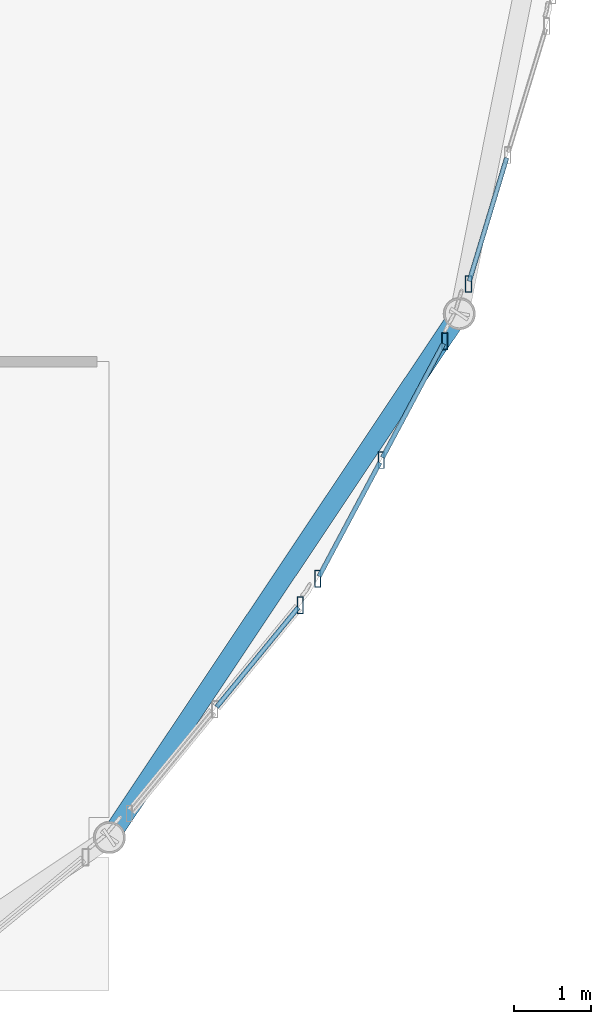
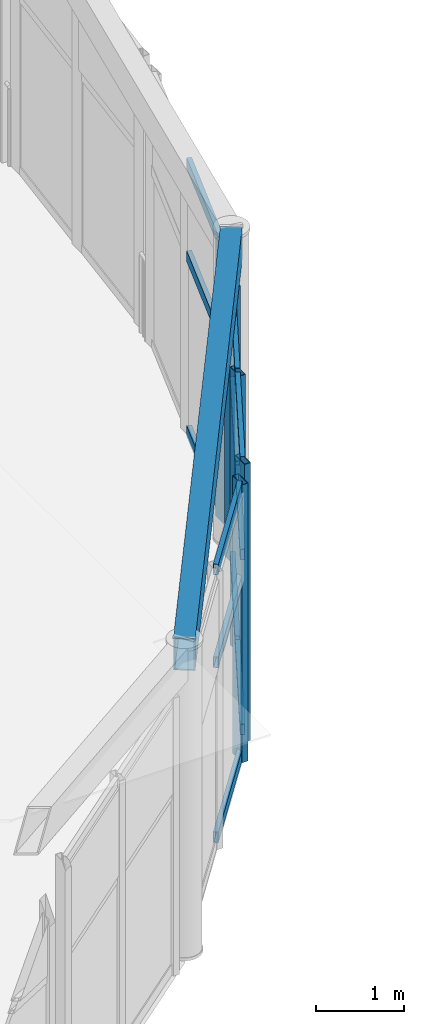
# One storey, part 20 of 105: 17 members, 1 beam, 3 elements without a shape of their own.
"""IFC4 building model written with IfcOpenShell, lengths in metres."""

from ifc_helpers import new_model, si_unit, direction, frame, origin, origin_2d, place, context, subcontext, project, spatial, hollow_rectangle, extrude, material, layer, layer_set, material_profile, profile_set, type_object, element, aggregate, save


model = new_model("IFC4")

# Units and contexts
model_context = context("Model", 3, precision=1e-05, world=origin(), true_north=direction((0.0, 1.0)))
body_context = subcontext(model_context, "Body", "Model", "MODEL_VIEW")
ifc_project = project(units=[si_unit("LENGTHUNIT", "METRE"), si_unit("AREAUNIT", "SQUARE_METRE"), si_unit("VOLUMEUNIT", "CUBIC_METRE"), si_unit("PLANEANGLEUNIT", "RADIAN"), si_unit("MASSUNIT", "GRAM", prefix="KILO")], contexts=[model_context])

# Site, building, storey
site_placement = place(None, origin())
site = spatial("IfcSite", under=ifc_project, at=site_placement, CompositionType="ELEMENT")
building_placement = place(site_placement, origin())
building = spatial("IfcBuilding", under=site, at=building_placement, Name="Marlcrest Central Station", CompositionType="ELEMENT")
storey_placement = place(building_placement, frame((0.0, 0.0, 15.0)))
storey = spatial("IfcBuildingStorey", under=building, at=storey_placement, Name="L03", CompositionType="ELEMENT", Elevation=15.0)

# Curtain wall, member
ifc_material_1 = material(Name="Anodised aluminium and hurricane laminated glass", Category="aluminium")
ifc_layer = layer(ifc_material_1, 0.219970703125, Name="CW-U1")
ifc_layer_set = layer_set([ifc_layer], Name="Anodised aluminium and hurricane laminated glass")
curtain_wall_type = type_object("IfcCurtainWallType", Name="CW-U1", PredefinedType="USERDEFINED", material=ifc_layer_set)
curtain_wall_1_placement = place(storey_placement, origin())
curtain_wall_1 = element("IfcCurtainWall", 1, at=curtain_wall_1_placement, inside=storey, type_object=curtain_wall_type, Name="cw-L03-0053", ObjectType="UNITISED_CURTAIN_WALL", PredefinedType="USERDEFINED")
ifc_material_2 = material(Name="Anodised aluminium 6063-T6", Category="aluminium")
ifc_material_profile_1 = material_profile(ifc_material_2, hollow_rectangle(XDim=0.080078125, YDim=0.219970703125, WallThickness=0.006103515625, at=origin_2d()), Name="AA-RHS 220x80x6")
ifc_profile_set_1 = profile_set([ifc_material_profile_1], Name="Anodised aluminium 6063-T6")
member_type_1 = type_object("IfcMemberType", Name="ML-01", PredefinedType="MULLION", material=ifc_profile_set_1)
member_1_placement = place(storey_placement, frame((125.330322265625, 10.673828125, -0.030029296875), z_axis=(0.0, 0.0, 1.0), x_axis=(1.0, 0.0, 0.0)))
member_1 = element("IfcMember", 2, at=member_1_placement, type_object=member_type_1, Name="cw-L03-0053-ml-0", PredefinedType="MULLION", context=body_context, shape_type="SweptSolid", body=[
    extrude(hollow_rectangle(XDim=0.080078125, YDim=0.219970703125, WallThickness=0.006103515625, at=origin_2d()), origin(), (0.0, 0.0, 1.0), 3.860107421875),
])

# Curtain wall, members
curtain_wall_2_placement = place(storey_placement, origin())
curtain_wall_2 = element("IfcCurtainWall", 3, at=curtain_wall_2_placement, inside=storey, type_object=curtain_wall_type, Name="cw-L03-0054", ObjectType="UNITISED_CURTAIN_WALL", PredefinedType="USERDEFINED")
member_2_placement = place(storey_placement, frame((127.210693359375, 14.107666015625, -0.030029296875), z_axis=(0.0, 0.0, 1.0), x_axis=(1.0, 0.0, 0.0)))
member_2 = element("IfcMember", 4, at=member_2_placement, type_object=member_type_1, Name="cw-L03-0054-ml-0", PredefinedType="MULLION", context=body_context, shape_type="SweptSolid", body=[
    extrude(hollow_rectangle(XDim=0.080078125, YDim=0.219970703125, WallThickness=0.006103515625, at=origin_2d()), origin(), (0.0, 0.0, 1.0), 3.860107421875),
])
member_3_placement = place(storey_placement, frame((126.38427734375, 12.56103515625, -0.030029296875), z_axis=(0.0, 0.0, 1.0), x_axis=(1.0, 0.0, 0.0)))
member_3 = element("IfcMember", 5, at=member_3_placement, type_object=member_type_1, Name="cw-L03-0054-ml-1", PredefinedType="MULLION", context=body_context, shape_type="SweptSolid", body=[
    extrude(hollow_rectangle(XDim=0.080078125, YDim=0.219970703125, WallThickness=0.006103515625, at=origin_2d()), origin(), (0.0, 0.0, 1.0), 3.860107421875),
])
member_4_placement = place(storey_placement, frame((125.55810546875, 11.014404296875, -0.030029296875), z_axis=(0.0, 0.0, 1.0), x_axis=(1.0, 0.0, 0.0)))
member_4 = element("IfcMember", 6, at=member_4_placement, type_object=member_type_1, Name="cw-L03-0054-ml-2", PredefinedType="MULLION", context=body_context, shape_type="SweptSolid", body=[
    extrude(hollow_rectangle(XDim=0.080078125, YDim=0.219970703125, WallThickness=0.006103515625, at=origin_2d()), origin(), (0.0, 0.0, 1.0), 3.860107421875),
])

# Curtain wall, member
curtain_wall_3_placement = place(storey_placement, origin())
curtain_wall_3 = element("IfcCurtainWall", 7, at=curtain_wall_3_placement, inside=storey, type_object=curtain_wall_type, Name="cw-L03-0055", ObjectType="UNITISED_CURTAIN_WALL", PredefinedType="USERDEFINED")
member_5_placement = place(storey_placement, frame((127.518310546875, 14.8505859375, -0.030029296875), z_axis=(0.0, 0.0, 1.0), x_axis=(1.0, 0.0, 0.0)))
member_5 = element("IfcMember", 8, at=member_5_placement, type_object=member_type_1, Name="cw-L03-0055-ml-2", PredefinedType="MULLION", context=body_context, shape_type="SweptSolid", body=[
    extrude(hollow_rectangle(XDim=0.080078125, YDim=0.219970703125, WallThickness=0.006103515625, at=origin_2d()), origin(), (0.0, 0.0, 1.0), 3.860107421875),
])

# Beam
ifc_material_3 = material(Name="Steel S355", Category="steel")
ifc_material_profile_2 = material_profile(ifc_material_3, hollow_rectangle(XDim=0.25, YDim=0.449951171875, WallThickness=0.01611328125, at=origin_2d()), Name="RHS 450x250x16")
ifc_profile_set_2 = profile_set([ifc_material_profile_2], Name="Steel S355")
beam_type = type_object("IfcBeamType", Name="SP-02", PredefinedType="SPANDREL", material=ifc_profile_set_2)
beam_placement = place(storey_placement, frame((122.84912109375, 7.65087890625, 4.10009765625), z_axis=(0.55551129271, 0.831508991937, 0.0), x_axis=(-0.831508991937, 0.55551129271, 0.0)))
element("IfcBeam", 9, at=beam_placement, inside=storey, type_object=beam_type, Name="bm-SP-02-L03-01411", PredefinedType="SPANDREL", context=body_context, shape_type="SweptSolid", body=[
    extrude(hollow_rectangle(XDim=0.25, YDim=0.449951171875, WallThickness=0.01611328125, at=origin_2d()), origin(), (0.0, 0.0, 1.0), 8.19384765625),
])

# Member
ifc_material_profile_3 = material_profile(ifc_material_2, hollow_rectangle(XDim=0.06005859375, YDim=0.14990234375, WallThickness=0.00390625, at=origin_2d()), Name="AA-RHS 150x60x4")
ifc_profile_set_3 = profile_set([ifc_material_profile_3], Name="Anodised aluminium 6063-T6")
member_type_2 = type_object("IfcMemberType", Name="TR-01", PredefinedType="USERDEFINED", material=ifc_profile_set_3)
member_6_placement = place(storey_placement, frame((125.306396484375, 10.64453125, 0.0400390625), z_axis=(-0.634512842936, -0.772912318539, 0.0), x_axis=(0.772912318539, -0.634512842936, 0.0)))
member_6 = element("IfcMember", 10, at=member_6_placement, type_object=member_type_2, Name="cw-L03-0053-tr-0-sill", ObjectType="TRANSOM", PredefinedType="USERDEFINED", context=body_context, shape_type="SweptSolid", body=[
    extrude(hollow_rectangle(XDim=0.06005859375, YDim=0.14990234375, WallThickness=0.00390625, at=origin_2d()), origin(), (0.0, 0.0, 1.0), 1.677490234375),
])

member_7_placement = place(storey_placement, frame((125.306396484375, 10.64453125, 2.469970703125), z_axis=(-0.634512842936, -0.772912318539, 0.0), x_axis=(0.772912318539, -0.634512842936, 0.0)))
member_7 = element("IfcMember", 11, at=member_7_placement, type_object=member_type_2, Name="cw-L03-0053-tr-0-mid", ObjectType="TRANSOM", PredefinedType="USERDEFINED", context=body_context, shape_type="SweptSolid", body=[
    extrude(hollow_rectangle(XDim=0.06005859375, YDim=0.14990234375, WallThickness=0.00390625, at=origin_2d()), origin(), (0.0, 0.0, 1.0), 1.677490234375),
])

member_8_placement = place(storey_placement, frame((125.306396484375, 10.64453125, 3.760009765625), z_axis=(-0.634512842936, -0.772912318539, 0.0), x_axis=(0.772912318539, -0.634512842936, 0.0)))
member_8 = element("IfcMember", 12, at=member_8_placement, type_object=member_type_2, Name="cw-L03-0053-tr-0-head", ObjectType="TRANSOM", PredefinedType="USERDEFINED", context=body_context, shape_type="SweptSolid", body=[
    extrude(hollow_rectangle(XDim=0.06005859375, YDim=0.14990234375, WallThickness=0.00390625, at=origin_2d()), origin(), (0.0, 0.0, 1.0), 1.677490234375),
])

aggregate(curtain_wall_1, [member_1, member_6, member_7, member_8])

member_9_placement = place(storey_placement, frame((127.192626953125, 14.07421875, 0.0400390625), z_axis=(-0.471207478568, -0.882022398889, 0.0), x_axis=(0.882022398889, -0.471207478568, 0.0)))
member_9 = element("IfcMember", 13, at=member_9_placement, type_object=member_type_2, Name="cw-L03-0054-tr-0-sill", ObjectType="TRANSOM", PredefinedType="USERDEFINED", context=body_context, shape_type="SweptSolid", body=[
    extrude(hollow_rectangle(XDim=0.06005859375, YDim=0.14990234375, WallThickness=0.00390625, at=origin_2d()), origin(), (0.0, 0.0, 1.0), 1.677734375),
])

member_10_placement = place(storey_placement, frame((127.192626953125, 14.07421875, 2.469970703125), z_axis=(-0.471207478568, -0.882022398889, 0.0), x_axis=(0.882022398889, -0.471207478568, 0.0)))
member_10 = element("IfcMember", 14, at=member_10_placement, type_object=member_type_2, Name="cw-L03-0054-tr-0-mid", ObjectType="TRANSOM", PredefinedType="USERDEFINED", context=body_context, shape_type="SweptSolid", body=[
    extrude(hollow_rectangle(XDim=0.06005859375, YDim=0.14990234375, WallThickness=0.00390625, at=origin_2d()), origin(), (0.0, 0.0, 1.0), 1.677734375),
])

member_11_placement = place(storey_placement, frame((127.192626953125, 14.07421875, 3.760009765625), z_axis=(-0.471207478568, -0.882022398889, 0.0), x_axis=(0.882022398889, -0.471207478568, 0.0)))
member_11 = element("IfcMember", 15, at=member_11_placement, type_object=member_type_2, Name="cw-L03-0054-tr-0-head", ObjectType="TRANSOM", PredefinedType="USERDEFINED", context=body_context, shape_type="SweptSolid", body=[
    extrude(hollow_rectangle(XDim=0.06005859375, YDim=0.14990234375, WallThickness=0.00390625, at=origin_2d()), origin(), (0.0, 0.0, 1.0), 1.677734375),
])

member_12_placement = place(storey_placement, frame((126.366455078125, 12.527587890625, 0.0400390625), z_axis=(-0.47126796736, -0.881990080976, 0.0), x_axis=(0.881990080976, -0.47126796736, 0.0)))
member_12 = element("IfcMember", 16, at=member_12_placement, type_object=member_type_2, Name="cw-L03-0054-tr-1-sill", ObjectType="TRANSOM", PredefinedType="USERDEFINED", context=body_context, shape_type="SweptSolid", body=[
    extrude(hollow_rectangle(XDim=0.06005859375, YDim=0.14990234375, WallThickness=0.00390625, at=origin_2d()), origin(), (0.0, 0.0, 1.0), 1.677490234375),
])

member_13_placement = place(storey_placement, frame((126.366455078125, 12.527587890625, 2.469970703125), z_axis=(-0.47126796736, -0.881990080976, 0.0), x_axis=(0.881990080976, -0.47126796736, 0.0)))
member_13 = element("IfcMember", 17, at=member_13_placement, type_object=member_type_2, Name="cw-L03-0054-tr-1-mid", ObjectType="TRANSOM", PredefinedType="USERDEFINED", context=body_context, shape_type="SweptSolid", body=[
    extrude(hollow_rectangle(XDim=0.06005859375, YDim=0.14990234375, WallThickness=0.00390625, at=origin_2d()), origin(), (0.0, 0.0, 1.0), 1.677490234375),
])

member_14_placement = place(storey_placement, frame((126.366455078125, 12.527587890625, 3.760009765625), z_axis=(-0.47126796736, -0.881990080976, 0.0), x_axis=(0.881990080976, -0.47126796736, 0.0)))
member_14 = element("IfcMember", 18, at=member_14_placement, type_object=member_type_2, Name="cw-L03-0054-tr-1-head", ObjectType="TRANSOM", PredefinedType="USERDEFINED", context=body_context, shape_type="SweptSolid", body=[
    extrude(hollow_rectangle(XDim=0.06005859375, YDim=0.14990234375, WallThickness=0.00390625, at=origin_2d()), origin(), (0.0, 0.0, 1.0), 1.677490234375),
])

aggregate(curtain_wall_2, [member_2, member_3, member_4, member_9, member_10, member_11, member_12, member_13, member_14])

member_15_placement = place(storey_placement, frame((128.01611328125, 16.491943359375, 0.0400390625), z_axis=(-0.29025787087, -0.95694846695, 0.0), x_axis=(0.95694846695, -0.29025787087, 0.0)))
member_15 = element("IfcMember", 19, at=member_15_placement, type_object=member_type_2, Name="cw-L03-0055-tr-1-sill", ObjectType="TRANSOM", PredefinedType="USERDEFINED", context=body_context, shape_type="SweptSolid", body=[
    extrude(hollow_rectangle(XDim=0.06005859375, YDim=0.14990234375, WallThickness=0.00390625, at=origin_2d()), origin(), (0.0, 0.0, 1.0), 1.67724609375),
])

member_16_placement = place(storey_placement, frame((128.01611328125, 16.491943359375, 2.469970703125), z_axis=(-0.29025787087, -0.95694846695, 0.0), x_axis=(0.95694846695, -0.29025787087, 0.0)))
member_16 = element("IfcMember", 20, at=member_16_placement, type_object=member_type_2, Name="cw-L03-0055-tr-1-mid", ObjectType="TRANSOM", PredefinedType="USERDEFINED", context=body_context, shape_type="SweptSolid", body=[
    extrude(hollow_rectangle(XDim=0.06005859375, YDim=0.14990234375, WallThickness=0.00390625, at=origin_2d()), origin(), (0.0, 0.0, 1.0), 1.67724609375),
])

member_17_placement = place(storey_placement, frame((128.01611328125, 16.491943359375, 3.760009765625), z_axis=(-0.29025787087, -0.95694846695, 0.0), x_axis=(0.95694846695, -0.29025787087, 0.0)))
member_17 = element("IfcMember", 21, at=member_17_placement, type_object=member_type_2, Name="cw-L03-0055-tr-1-head", ObjectType="TRANSOM", PredefinedType="USERDEFINED", context=body_context, shape_type="SweptSolid", body=[
    extrude(hollow_rectangle(XDim=0.06005859375, YDim=0.14990234375, WallThickness=0.00390625, at=origin_2d()), origin(), (0.0, 0.0, 1.0), 1.67724609375),
])

aggregate(curtain_wall_3, [member_5, member_15, member_16, member_17])

save(model, "model.ifc")
